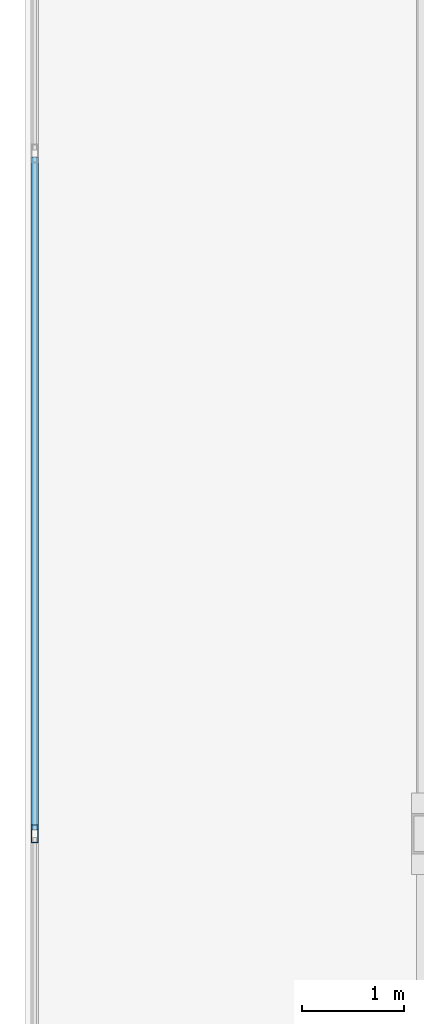
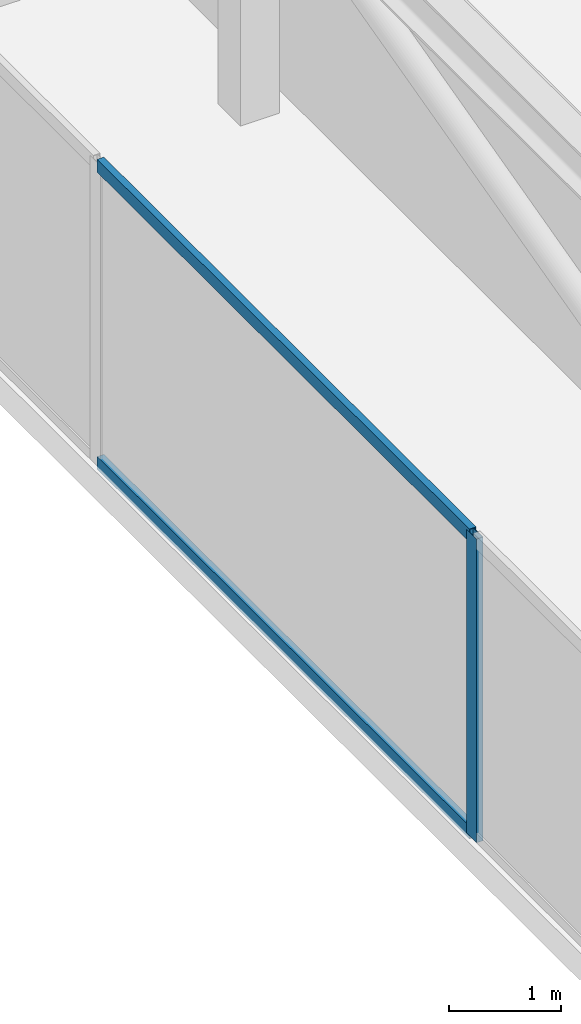
# One storey, part 7 of 16: 3 members, 1 element without a shape of its own.
"""IFC4 building model written with IfcOpenShell, lengths in metres."""

from ifc_helpers import new_model, si_unit, direction, frame, origin, origin_2d, place, context, subcontext, project, spatial, hollow_rectangle, extrude, source, transform, mapped, material, material_profile, profile_set, type_object, type_shapes, element, aggregate, save


model = new_model("IFC4")

# Units and contexts
model_context = context("Model", 3, precision=1e-05, world=origin(), true_north=direction((0.0, 1.0)))
body_context = subcontext(model_context, "Body", "Model", "MODEL_VIEW")
ifc_project = project(units=[si_unit("LENGTHUNIT", "METRE"), si_unit("AREAUNIT", "SQUARE_METRE"), si_unit("VOLUMEUNIT", "CUBIC_METRE"), si_unit("PLANEANGLEUNIT", "RADIAN"), si_unit("MASSUNIT", "GRAM", prefix="KILO")], contexts=[model_context])

# Site, building, storey
site_placement = place(None, origin())
site = spatial("IfcSite", under=ifc_project, at=site_placement, CompositionType="ELEMENT")
building_placement = place(site_placement, origin())
building = spatial("IfcBuilding", under=site, at=building_placement, Name="Krantzveldt Concourse Tower", CompositionType="ELEMENT")
storey_placement = place(building_placement, frame((0.0, 0.0, 378.25)))
storey = spatial("IfcBuildingStorey", under=building, at=storey_placement, Name="L93", CompositionType="ELEMENT", Elevation=378.25)

# Curtain wall, members
ifc_material = material(Name="Anodised aluminium 6063-T6", Category="aluminium")
curtain_wall_type = type_object("IfcCurtainWallType", Name="CW7", PredefinedType="USERDEFINED", material=ifc_material)
curtain_wall_placement = place(storey_placement, origin())
curtain_wall = element("IfcCurtainWall", 1, at=curtain_wall_placement, inside=storey, type_object=curtain_wall_type, Name="CW-L93-WEST-05", ObjectType="UNITISED CURTAIN WALL", PredefinedType="USERDEFINED")
ifc_material_profile_1 = material_profile(ifc_material, hollow_rectangle(XDim=0.070068359375, YDim=0.139892578125, WallThickness=0.0048828125, at=origin_2d()), Name="Anodised aluminium 6063-T6", Category="aluminium")
ifc_profile_set_1 = profile_set([ifc_material_profile_1], Name="Anodised aluminium 6063-T6 - ALU-TRAN 140x70x5")
member_type_1 = type_object("IfcMemberType", Name="CW-TRN-150", PredefinedType="USERDEFINED", material=ifc_profile_set_1)
shared_shape_1 = source(origin(), body_context, "Body", "SweptSolid", [
    extrude(hollow_rectangle(XDim=0.070068359375, YDim=0.139892578125, WallThickness=0.0048828125, at=origin_2d()), origin(), (0.0, 0.0, 1.0), 6.6298828125),
])
type_shapes(member_type_1, [shared_shape_1])
member_1_placement = place(storey_placement, frame((17.090087890625, 33.364990234375, 0.034912109375), z_axis=(0.0, -1.0, 0.0), x_axis=(1.0, 0.0, 0.0)))
member_1 = element("IfcMember", 2, at=member_1_placement, type_object=member_type_1, Name="CW-CRN transom 2.1", ObjectType="TRANSOM", PredefinedType="USERDEFINED", context=body_context, shape_type="MappedRepresentation", body=[
    mapped(shared_shape_1, transform((0.0, 0.0, 0.0), x_axis=(1.0, 0.0, 0.0), y_axis=(0.0, 1.0, 0.0), z_axis=(0.0, 0.0, 1.0), scale=1.0)),
])
member_2_placement = place(storey_placement, frame((17.090087890625, 33.364990234375, 3.264892578125), z_axis=(0.0, -1.0, 0.0), x_axis=(1.0, 0.0, 0.0)))
member_2 = element("IfcMember", 3, at=member_2_placement, type_object=member_type_1, Name="CW-CRN transom 2.2", ObjectType="TRANSOM", PredefinedType="USERDEFINED", context=body_context, shape_type="MappedRepresentation", body=[
    mapped(shared_shape_1, transform((0.0, 0.0, 0.0), x_axis=(1.0, 0.0, 0.0), y_axis=(0.0, 1.0, 0.0), z_axis=(0.0, 0.0, 1.0), scale=1.0)),
])
ifc_material_profile_2 = material_profile(ifc_material, hollow_rectangle(XDim=0.070068359375, YDim=0.179931640625, WallThickness=0.0048828125, at=origin_2d()), Name="Anodised aluminium 6063-T6", Category="aluminium")
ifc_profile_set_2 = profile_set([ifc_material_profile_2], Name="Anodised aluminium 6063-T6 - ALU-MULL 180x70x5")
member_type_2 = type_object("IfcMemberType", Name="CW-MUL-180", PredefinedType="MULLION", material=ifc_profile_set_2)
shared_shape_2 = source(origin(), body_context, "Body", "SweptSolid", [
    extrude(hollow_rectangle(XDim=0.070068359375, YDim=0.179931640625, WallThickness=0.0048828125, at=origin_2d()), origin(), (0.0, 0.0, 1.0), 3.300048828125),
])
type_shapes(member_type_2, [shared_shape_2])
member_3_placement = place(storey_placement, frame((17.090087890625, 26.699951171875, 0.0), z_axis=(0.0, 0.0, 1.0), x_axis=(1.0, 0.0, 0.0)))
member_3 = element("IfcMember", 4, at=member_3_placement, type_object=member_type_2, Name="CW-CRN mullion 3", PredefinedType="MULLION", context=body_context, shape_type="MappedRepresentation", body=[
    mapped(shared_shape_2, transform((0.0, 0.0, 0.0), x_axis=(1.0, 0.0, 0.0), y_axis=(0.0, 1.0, 0.0), z_axis=(0.0, 0.0, 1.0), scale=1.0)),
])
aggregate(curtain_wall, [member_3, member_1, member_2])

save(model, "model.ifc")
